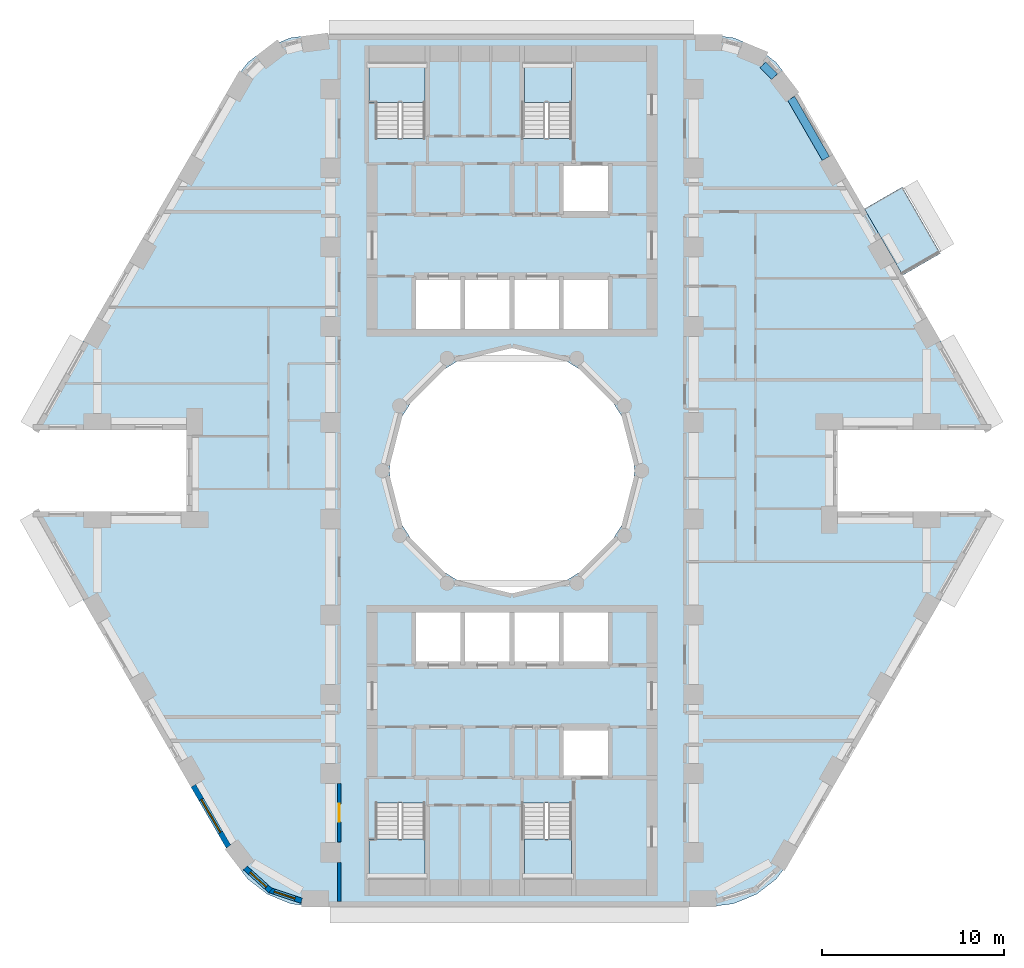
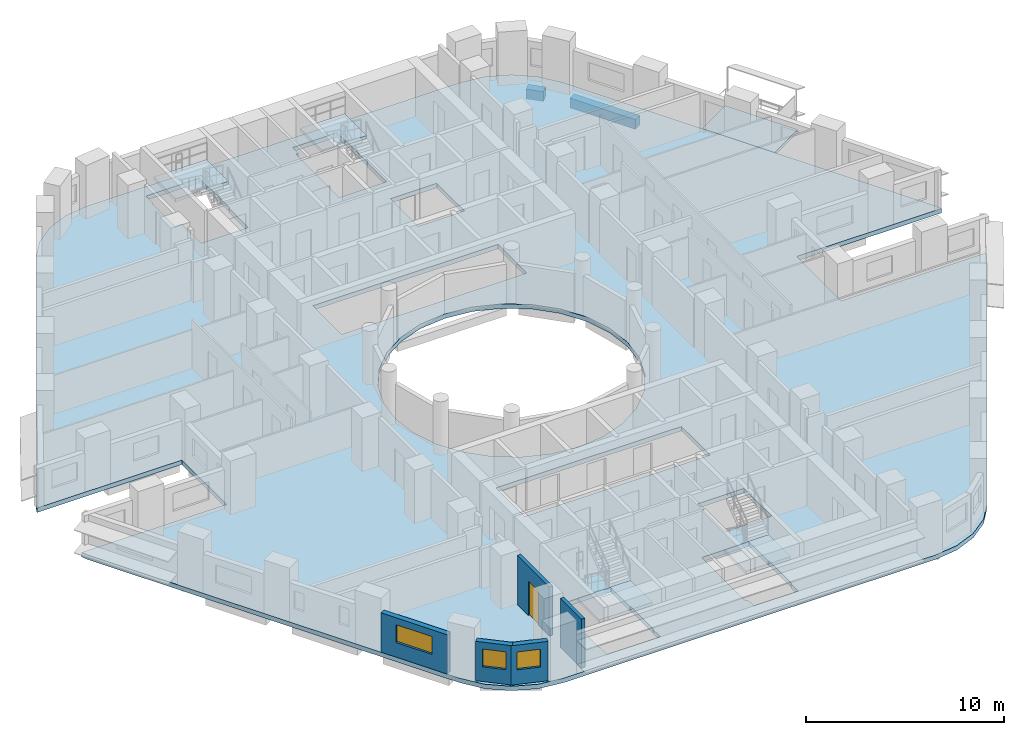
# One storey, part 2 of 13: 6 slabs, 5 walls, 3 windows, 2 beams, 1 door, 4 openings, 4 elements without a shape of their own.
"""IFC4 building model written with IfcOpenShell, lengths in metres."""

from ifc_helpers import new_model, si_unit, direction, frame, frame_2d, origin, origin_2d, place, context, subcontext, project, spatial, polyline, rectangle, outline, extrude, material, layer, layer_set, material_profile, profile_set, type_object, element, fill, aggregate, save


model = new_model("IFC4")

# Units and contexts
model_context = context("Model", 3, precision=1e-05, world=origin(), true_north=direction((0.0, 1.0)))
body_context = subcontext(model_context, "Body", "Model", "MODEL_VIEW")
ifc_project = project(units=[si_unit("LENGTHUNIT", "METRE"), si_unit("AREAUNIT", "SQUARE_METRE"), si_unit("VOLUMEUNIT", "CUBIC_METRE"), si_unit("PLANEANGLEUNIT", "RADIAN"), si_unit("MASSUNIT", "GRAM", prefix="KILO")], contexts=[model_context])

# Site, building, storey
site_placement = place(None, origin())
site = spatial("IfcSite", under=ifc_project, at=site_placement, CompositionType="ELEMENT")
building_placement = place(site_placement, origin())
building = spatial("IfcBuilding", under=site, at=building_placement, Name="Nakaniwa Court", CompositionType="ELEMENT")
storey_placement = place(building_placement, frame((0.0, 0.0, 64.5)))
storey = spatial("IfcBuildingStorey", under=building, at=storey_placement, Name="L17", CompositionType="ELEMENT", Elevation=64.5)

# Beams
ifc_material_1 = material(Name="Concrete C100/115", Category="concrete")
ifc_material_profile = material_profile(ifc_material_1, rectangle(XDim=0.449951171875, YDim=0.60009765625, at=origin_2d()), Name="Concrete C100/115 RC 450x600 spandrel beam")
ifc_profile_set = profile_set([ifc_material_profile], Name="Concrete C100/115")
beam_type = type_object("IfcBeamType", Name="Concrete C100/115 RC 450x600 spandrel beam", PredefinedType="BEAM", material=ifc_profile_set)
beam_1_placement = place(storey_placement, frame((97.2705078125, 97.1865234375, -0.574951171875), z_axis=(-0.500023067617, 0.86601208528, 0.0), x_axis=(-0.86601208528, -0.500023067617, 0.0)))
element("IfcBeam", 1, at=beam_1_placement, inside=storey, type_object=beam_type, Name="SPANDREL BEAM", PredefinedType="BEAM", context=body_context, shape_type="SweptSolid", body=[
    extrude(rectangle(XDim=0.449951171875, YDim=0.60009765625, at=origin_2d()), origin(), (0.0, 0.0, 1.0), 3.819580078125),
])
beam_2_placement = place(storey_placement, frame((94.448486328125, 101.68505859375, -0.574951171875), z_axis=(-0.705908410536, 0.708303124329, 0.0), x_axis=(-0.708303124329, -0.705908410536, 0.0)))
element("IfcBeam", 2, at=beam_2_placement, inside=storey, type_object=beam_type, Name="SPANDREL BEAM", PredefinedType="BEAM", context=body_context, shape_type="SweptSolid", body=[
    extrude(rectangle(XDim=0.449951171875, YDim=0.60009765625, at=origin_2d()), origin(), (0.0, 0.0, 1.0), 0.91748046875),
])

# Slabs
ifc_material_2 = material(Name="Charcoal ceramic paver")
ifc_layer_1 = layer(ifc_material_2, 0.02, Name="Ceramic paver")
ifc_material_3 = material(Name="Cement sand screed")
ifc_layer_2 = layer(ifc_material_3, 0.03, Name="Falls screed")
ifc_material_4 = material(Name="Concrete C40/50", Category="concrete")
ifc_layer_3 = layer(ifc_material_4, 0.15, Name="Balcony slab")
ifc_layer_set_1 = layer_set([ifc_layer_1, ifc_layer_2, ifc_layer_3], Name="Concrete C40/50 balcony slab with ceramic paver finish")
slab_type_1 = type_object("IfcSlabType", Name="Balcony slab 200", PredefinedType="FLOOR", material=ifc_layer_set_1)
slab_1_placement = place(storey_placement, frame((0.0, 0.0, -0.25)))
element("IfcSlab", 3, at=slab_1_placement, inside=storey, type_object=slab_type_1, Name="L17 balcony 01", PredefinedType="FLOOR", context=body_context, shape_type="SweptSolid", body=[
    extrude(outline(polyline([(101.50048828125, 90.760009765625), (99.393310546875, 94.409912109375), (101.4716796875, 95.610107421875), (103.5791015625, 91.9599609375), (101.50048828125, 90.760009765625)])), origin(), (0.0, 0.0, 1.0), 0.199951171875),
])
ifc_layer_4 = layer(ifc_material_1, 0.27490234375)
ifc_layer_set_2 = layer_set([ifc_layer_4], Name="Concrete C100/115")
slab_type_2 = type_object("IfcSlabType", Name="Concrete C100/115 post tensioned floor slab 275", PredefinedType="FLOOR", material=ifc_layer_set_2)
slab_2_placement = place(storey_placement, frame((0.0, 0.0, -0.27490234375)))
element("IfcSlab", 4, at=slab_2_placement, inside=storey, type_object=slab_type_2, Name="FLOOR SLAB", PredefinedType="FLOOR", context=body_context, shape_type="SweptSolid", body=[
    extrude(outline(polyline([(97.908447265625, 82.25), (106.356689453125, 82.25), (106.211669921875, 82.60009765625), (95.357421875, 101.39990234375), (94.531005859375, 102.47705078125), (93.4541015625, 103.30322265625), (92.199951171875, 103.82275390625), (90.854248046875, 104.0), (69.145751953125, 104.0), (67.800048828125, 103.82275390625), (66.5458984375, 103.30322265625), (65.468994140625, 102.47705078125), (64.642578125, 101.39990234375), (53.788330078125, 82.60009765625), (53.643310546875, 82.25), (62.091552734375, 82.25), (62.091552734375, 77.75), (53.643310546875, 77.75), (53.788330078125, 77.39990234375), (64.642578125, 58.60009765625), (65.468994140625, 57.52294921875), (66.5458984375, 56.69677734375), (67.800048828125, 56.17724609375), (69.145751953125, 56.0), (90.854248046875, 56.0), (92.199951171875, 56.17724609375), (93.4541015625, 56.69677734375), (94.531005859375, 57.52294921875), (95.357421875, 58.60009765625), (106.211669921875, 77.39990234375), (106.356689453125, 77.75), (97.908447265625, 77.75), (97.908447265625, 82.25)]), holes=[polyline([(81.501953125, 86.580810546875), (80.0, 86.75), (78.498046875, 86.580810546875), (77.0712890625, 86.08154296875), (75.79150390625, 85.27734375), (74.72265625, 84.20849609375), (73.91845703125, 82.9287109375), (73.419189453125, 81.501953125), (73.25, 80.0), (73.419189453125, 78.498046875), (73.91845703125, 77.0712890625), (74.72265625, 75.79150390625), (75.79150390625, 74.72265625), (77.0712890625, 73.91845703125), (78.498046875, 73.419189453125), (80.0, 73.25), (81.501953125, 73.419189453125), (82.9287109375, 73.91845703125), (84.20849609375, 74.72265625), (85.27734375, 75.79150390625), (86.08154296875, 77.0712890625), (86.580810546875, 78.498046875), (86.75, 80.0), (86.580810546875, 81.501953125), (86.08154296875, 82.9287109375), (85.27734375, 84.20849609375), (84.20849609375, 85.27734375), (82.9287109375, 86.08154296875), (81.501953125, 86.580810546875)]), polyline([(75.264892578125, 57.4599609375), (75.264892578125, 59.764892578125), (75.22509765625, 59.764892578125), (75.22509765625, 61.7099609375), (72.47509765625, 61.7099609375), (72.47509765625, 59.764892578125), (72.0849609375, 59.764892578125), (72.0849609375, 57.4599609375), (72.125, 57.4599609375), (72.125, 56.72509765625), (75.22509765625, 56.72509765625), (75.22509765625, 57.324951171875), (75.22509765625, 57.4599609375), (75.264892578125, 57.4599609375)]), polyline([(80.0, 69.300048828125), (82.699951171875, 69.300048828125), (85.39990234375, 69.300048828125), (85.39990234375, 72.199951171875), (82.699951171875, 72.199951171875), (80.0, 72.199951171875), (77.300048828125, 72.199951171875), (74.60009765625, 72.199951171875), (74.60009765625, 69.300048828125), (77.300048828125, 69.300048828125), (80.0, 69.300048828125)]), polyline([(80.0, 87.800048828125), (82.699951171875, 87.800048828125), (85.39990234375, 87.800048828125), (85.39990234375, 90.699951171875), (82.699951171875, 90.699951171875), (80.0, 90.699951171875), (77.300048828125, 90.699951171875), (74.60009765625, 90.699951171875), (74.60009765625, 87.800048828125), (77.300048828125, 87.800048828125), (80.0, 87.800048828125)]), polyline([(75.264892578125, 100.235107421875), (75.264892578125, 102.5400390625), (75.22509765625, 102.5400390625), (75.22509765625, 102.675048828125), (75.22509765625, 103.27490234375), (72.125, 103.27490234375), (72.125, 102.5400390625), (72.0849609375, 102.5400390625), (72.0849609375, 100.235107421875), (72.47509765625, 100.235107421875), (72.47509765625, 98.2900390625), (75.22509765625, 98.2900390625), (75.22509765625, 100.235107421875), (75.264892578125, 100.235107421875)]), polyline([(83.27490234375, 61.7099609375), (80.52490234375, 61.7099609375), (80.52490234375, 57.324951171875), (80.675048828125, 57.324951171875), (80.675048828125, 56.72509765625), (83.27490234375, 56.72509765625), (83.27490234375, 57.324951171875), (83.27490234375, 57.4599609375), (83.31494140625, 57.4599609375), (83.31494140625, 59.764892578125), (83.27490234375, 59.764892578125), (83.27490234375, 61.7099609375)]), polyline([(85.39990234375, 65.89990234375), (82.699951171875, 65.89990234375), (82.699951171875, 63.10009765625), (85.39990234375, 63.10009765625), (85.39990234375, 65.89990234375)]), polyline([(85.39990234375, 96.89990234375), (82.699951171875, 96.89990234375), (82.699951171875, 94.10009765625), (85.39990234375, 94.10009765625), (85.39990234375, 96.89990234375)]), polyline([(83.27490234375, 100.235107421875), (83.31494140625, 100.235107421875), (83.31494140625, 102.5400390625), (83.27490234375, 102.5400390625), (83.27490234375, 102.675048828125), (83.27490234375, 103.27490234375), (80.675048828125, 103.27490234375), (80.675048828125, 102.675048828125), (80.52490234375, 102.675048828125), (80.52490234375, 98.2900390625), (83.27490234375, 98.2900390625), (83.27490234375, 100.235107421875)])]), origin(), (0.0, 0.0, 1.0), 0.27490234375),
])

# Stair, slab
ifc_material_5 = material(Name="Concrete C80/100", Category="concrete")
stair_type = type_object("IfcStairType", Name="Dog leg stair 1300 wide 18 risers", PredefinedType="HALF_TURN_STAIR", material=ifc_material_5)
stair_1_placement = place(storey_placement, origin())
stair_1 = element("IfcStair", 5, at=stair_1_placement, inside=storey, type_object=stair_type, Name="L17 Stair ST1", PredefinedType="HALF_TURN_STAIR")
ifc_layer_5 = layer(ifc_material_5, 0.199951171875)
ifc_layer_set_3 = layer_set([ifc_layer_5], Name="Concrete C80/100")
slab_type_3 = type_object("IfcSlabType", Name="Stair landing concrete", PredefinedType="LANDING", material=ifc_layer_set_3)
slab_3_placement = place(storey_placement, frame((0.0, 0.0, 1.449951171875)))
slab_3 = element("IfcSlab", 6, at=slab_3_placement, type_object=slab_type_3, Name="ST1 landing 1", PredefinedType="LANDING", context=body_context, shape_type="SweptSolid", body=[
    extrude(outline(polyline([(75.22509765625, 100.27490234375), (75.22509765625, 102.5), (72.125, 102.5), (72.125, 100.27490234375), (75.22509765625, 100.27490234375)])), origin(), (0.0, 0.0, 1.0), 0.199951171875),
])
aggregate(stair_1, [slab_3])

stair_2_placement = place(storey_placement, origin())
stair_2 = element("IfcStair", 7, at=stair_2_placement, inside=storey, type_object=stair_type, Name="L17 Stair ST2", PredefinedType="HALF_TURN_STAIR")
slab_4_placement = place(storey_placement, frame((0.0, 0.0, 1.449951171875)))
slab_4 = element("IfcSlab", 8, at=slab_4_placement, type_object=slab_type_3, Name="ST2 landing 1", PredefinedType="LANDING", context=body_context, shape_type="SweptSolid", body=[
    extrude(outline(polyline([(83.27490234375, 100.27490234375), (83.27490234375, 102.5), (80.675048828125, 102.5), (80.675048828125, 100.27490234375), (83.27490234375, 100.27490234375)])), origin(), (0.0, 0.0, 1.0), 0.199951171875),
])
aggregate(stair_2, [slab_4])

stair_3_placement = place(storey_placement, origin())
stair_3 = element("IfcStair", 9, at=stair_3_placement, inside=storey, type_object=stair_type, Name="L17 Stair ST3", PredefinedType="HALF_TURN_STAIR")
slab_5_placement = place(storey_placement, frame((0.0, 0.0, 1.449951171875)))
slab_5 = element("IfcSlab", 10, at=slab_5_placement, type_object=slab_type_3, Name="ST3 landing 1", PredefinedType="LANDING", context=body_context, shape_type="SweptSolid", body=[
    extrude(outline(polyline([(75.22509765625, 57.5), (75.22509765625, 59.72509765625), (72.125, 59.72509765625), (72.125, 57.5), (75.22509765625, 57.5)])), origin(), (0.0, 0.0, 1.0), 0.199951171875),
])
aggregate(stair_3, [slab_5])

stair_4_placement = place(storey_placement, origin())
stair_4 = element("IfcStair", 11, at=stair_4_placement, inside=storey, type_object=stair_type, Name="L17 Stair ST4", PredefinedType="HALF_TURN_STAIR")
slab_6_placement = place(storey_placement, frame((0.0, 0.0, 1.449951171875)))
slab_6 = element("IfcSlab", 12, at=slab_6_placement, type_object=slab_type_3, Name="ST4 landing 1", PredefinedType="LANDING", context=body_context, shape_type="SweptSolid", body=[
    extrude(outline(polyline([(83.27490234375, 57.5), (83.27490234375, 59.72509765625), (80.675048828125, 59.72509765625), (80.675048828125, 57.5), (83.27490234375, 57.5)])), origin(), (0.0, 0.0, 1.0), 0.199951171875),
])
aggregate(stair_4, [slab_6])

# Wall
ifc_material_6 = material(Name="Acoustic double stud partition")
ifc_layer_6 = layer(ifc_material_6, 0.199951171875)
ifc_layer_set_4 = layer_set([ifc_layer_6], Name="Acoustic double stud partition")
wall_type_1 = type_object("IfcWallType", Name="Acoustic double stud partition 200", PredefinedType="PARTITIONING", material=ifc_layer_set_4)
wall_1_placement = place(storey_placement, frame((70.5, 56.300048828125, 0.0), z_axis=(0.0, 0.0, 1.0), x_axis=(0.0, 1.0, 0.0)))
element("IfcWall", 13, at=wall_1_placement, inside=storey, type_object=wall_type_1, Name="Partition PW-100", PredefinedType="PARTITIONING", context=body_context, shape_type="SweptSolid", body=[
    extrude(rectangle(XDim=2.133056640625, YDim=0.199951171875, at=frame_2d((1.06640625, 0.0))), origin(), (0.0, 0.0, 1.0), 3.02490234375),
])

# Wall, opening, door
wall_2_placement = place(storey_placement, frame((70.5, 59.56689453125, 0.0), z_axis=(0.0, 0.0, 1.0), x_axis=(0.0, 1.0, 0.0)))
wall_2 = element("IfcWall", 14, at=wall_2_placement, inside=storey, type_object=wall_type_1, Name="Partition PW-101", PredefinedType="PARTITIONING", context=body_context, shape_type="SweptSolid", body=[
    extrude(rectangle(XDim=3.216064453125, YDim=0.199951171875, at=frame_2d((1.60791015625, 0.0))), origin(), (0.0, 0.0, 1.0), 3.02490234375),
])
opening_1_placement = place(wall_2_placement, frame((1.10791015625, 0.0, 0.0)))
opening_1 = element("IfcOpeningElement", 15, at=opening_1_placement, cuts=wall_2, Name="Opening D-02-04", PredefinedType="OPENING", context=body_context, shape_type="SweptSolid", body=[
    extrude(rectangle(XDim=1.0, YDim=2.10009765625, at=frame_2d((0.5, 1.050048828125))), frame((0.0, 0.10986328125, 0.0), z_axis=(0.0, -1.0, 0.0), x_axis=(1.0, 0.0, 0.0)), (0.0, 0.0, 1.0), 0.219970703125),
])
ifc_material_7 = material(Name="Solid core timber door set, black veneer", Category="wood")
door_type = type_object("IfcDoorType", Name="Internal door 1000", OperationType="NOTDEFINED", PredefinedType="DOOR", material=ifc_material_7)
door_placement = place(opening_1_placement, origin())
door = element("IfcDoor", 16, at=door_placement, inside=storey, type_object=door_type, Name="Door D-02-04 L17-044", OperationType="SINGLE_SWING_LEFT", OverallHeight=2.10009765625, OverallWidth=1.0, PredefinedType="DOOR", context=body_context, shape_type="SweptSolid", body=[
    extrude(rectangle(XDim=1.0, YDim=2.10009765625, at=frame_2d((0.5, 1.050048828125))), frame((0.0, 0.02490234375, 0.0), z_axis=(0.0, -1.0, 0.0), x_axis=(1.0, 0.0, 0.0)), (0.0, 0.0, 1.0), 0.050048828125),
])
fill(opening_1, door)

# Wall, opening, window
ifc_material_8 = material(Name="Charcoal ceramic cladding")
ifc_layer_7 = layer(ifc_material_8, 0.02, Name="Ceramic cladding")
ifc_material_9 = material(Name="Ventilated air cavity")
ifc_layer_8 = layer(ifc_material_9, 0.04, ventilated=True, Name="Ventilated cavity")
ifc_material_10 = material(Name="Mineral wool insulation")
ifc_layer_9 = layer(ifc_material_10, 0.1, Name="Insulation")
ifc_material_11 = material(Name="Cement bonded sheathing board")
ifc_layer_10 = layer(ifc_material_11, 0.012, Name="Sheathing")
ifc_material_12 = material(Name="Cold-formed galvanised stud frame with mineral wool infill")
ifc_layer_11 = layer(ifc_material_12, 0.1, Name="Stud frame")
ifc_material_13 = material(Name="Fire-rated gypsum plasterboard lining")
ifc_layer_12 = layer(ifc_material_13, 0.028, Name="Lining")
ifc_layer_set_5 = layer_set([ifc_layer_7, ifc_layer_8, ifc_layer_9, ifc_layer_10, ifc_layer_11, ifc_layer_12], Name="Charcoal ceramic faced external wall system")
wall_type_2 = type_object("IfcWallType", Name="Black ceramic faced external wall 300", PredefinedType="SOLIDWALL", material=ifc_layer_set_5)
wall_3_placement = place(storey_placement, frame((62.4677734375, 62.6669921875, 0.0), z_axis=(0.0, 0.0, 1.0), x_axis=(0.499948341072, -0.866055227026, 0.0)))
wall_3 = element("IfcWall", 17, at=wall_3_placement, inside=storey, type_object=wall_type_2, Name="L17 external wall 23", PredefinedType="SOLIDWALL", context=body_context, shape_type="SweptSolid", body=[
    extrude(rectangle(XDim=3.8671875, YDim=0.300048828125, at=frame_2d((1.93359375, 0.0))), origin(), (0.0, 0.0, 1.0), 2.425048828125),
])
opening_2_placement = place(wall_3_placement, frame((0.872314453125, 0.0, 0.89990234375)))
opening_2 = element("IfcOpeningElement", 18, at=opening_2_placement, cuts=wall_3, Name="Opening W7.26", PredefinedType="OPENING", context=body_context, shape_type="SweptSolid", body=[
    extrude(rectangle(XDim=2.10009765625, YDim=1.10009765625, at=frame_2d((1.050048828125, 0.550048828125))), frame((0.0, 0.159912109375, 0.0), z_axis=(0.0, -1.0, 0.0), x_axis=(1.0, 0.0, 0.0)), (0.0, 0.0, 1.0), 0.320068359375),
])
ifc_material_14 = material(Name="Black anodised aluminium frame with dark low-E laminated double glazing", Category="aluminium")
window_type_1 = type_object("IfcWindowType", Name="Dark glass window 2100x1100 sill 900", PartitioningType="SINGLE_PANEL", PredefinedType="WINDOW", material=ifc_material_14)
window_1_placement = place(opening_2_placement, origin())
window_1 = element("IfcWindow", 19, at=window_1_placement, inside=storey, type_object=window_type_1, Name="L17 habitable room window 23-0", OverallHeight=1.10009765625, OverallWidth=2.10009765625, PartitioningType="SINGLE_PANEL", PredefinedType="WINDOW", context=body_context, shape_type="SweptSolid", body=[
    extrude(rectangle(XDim=2.10009765625, YDim=1.10009765625, at=frame_2d((1.050048828125, 0.550048828125))), frame((0.0, 0.030029296875, 0.0), z_axis=(0.0, -1.0, 0.0), x_axis=(1.0, 0.0, 0.0)), (0.0, 0.0, 1.0), 0.06005859375),
])
fill(opening_2, window_1)

wall_4_placement = place(storey_placement, frame((65.3203125, 58.142578125, 0.0), z_axis=(0.0, 0.0, 1.0), x_axis=(0.7435526378, -0.668677407141, 0.0)))
wall_4 = element("IfcWall", 20, at=wall_4_placement, inside=storey, type_object=wall_type_2, Name="L17 external wall 24", PredefinedType="SOLIDWALL", context=body_context, shape_type="SweptSolid", body=[
    extrude(rectangle(XDim=1.878173828125, YDim=0.300048828125, at=frame_2d((0.93896484375, 0.0))), origin(), (0.0, 0.0, 1.0), 2.425048828125),
])
opening_3_placement = place(wall_4_placement, frame((0.366943359375, 0.0, 0.89990234375)))
opening_3 = element("IfcOpeningElement", 21, at=opening_3_placement, cuts=wall_4, Name="Opening W6.27", PredefinedType="OPENING", context=body_context, shape_type="SweptSolid", body=[
    extrude(rectangle(XDim=1.199951171875, YDim=1.10009765625, at=frame_2d((0.60009765625, 0.550048828125))), frame((0.0, 0.159912109375, 0.0), z_axis=(0.0, -1.0, 0.0), x_axis=(1.0, 0.0, 0.0)), (0.0, 0.0, 1.0), 0.320068359375),
])
window_type_2 = type_object("IfcWindowType", Name="Dark glass window 1200x1100 sill 900", PartitioningType="SINGLE_PANEL", PredefinedType="WINDOW", material=ifc_material_14)
window_2_placement = place(opening_3_placement, origin())
window_2 = element("IfcWindow", 22, at=window_2_placement, inside=storey, type_object=window_type_2, Name="L17 habitable room window 24-0", OverallHeight=1.10009765625, OverallWidth=1.199951171875, PartitioningType="SINGLE_PANEL", PredefinedType="WINDOW", context=body_context, shape_type="SweptSolid", body=[
    extrude(rectangle(XDim=1.199951171875, YDim=1.10009765625, at=frame_2d((0.60009765625, 0.550048828125))), frame((0.0, 0.030029296875, 0.0), z_axis=(0.0, -1.0, 0.0), x_axis=(1.0, 0.0, 0.0)), (0.0, 0.0, 1.0), 0.06005859375),
])
fill(opening_3, window_2)

wall_5_placement = place(storey_placement, frame((66.6240234375, 56.932861328125, 0.0), z_axis=(0.0, 0.0, 1.0), x_axis=(0.949246659442, -0.314532636683, 0.0)))
wall_5 = element("IfcWall", 23, at=wall_5_placement, inside=storey, type_object=wall_type_2, Name="L17 external wall 25", PredefinedType="SOLIDWALL", context=body_context, shape_type="SweptSolid", body=[
    extrude(rectangle(XDim=1.901611328125, YDim=0.300048828125, at=frame_2d((0.95068359375, 0.0))), origin(), (0.0, 0.0, 1.0), 2.425048828125),
])
opening_4_placement = place(wall_5_placement, frame((0.31005859375, 0.0, 0.89990234375)))
opening_4 = element("IfcOpeningElement", 24, at=opening_4_placement, cuts=wall_5, Name="Opening W6.28", PredefinedType="OPENING", context=body_context, shape_type="SweptSolid", body=[
    extrude(rectangle(XDim=1.199951171875, YDim=1.10009765625, at=frame_2d((0.60009765625, 0.550048828125))), frame((0.0, 0.159912109375, 0.0), z_axis=(0.0, -1.0, 0.0), x_axis=(1.0, 0.0, 0.0)), (0.0, 0.0, 1.0), 0.320068359375),
])
window_3_placement = place(opening_4_placement, origin())
window_3 = element("IfcWindow", 25, at=window_3_placement, inside=storey, type_object=window_type_2, Name="L17 habitable room window 25-0", OverallHeight=1.10009765625, OverallWidth=1.199951171875, PartitioningType="SINGLE_PANEL", PredefinedType="WINDOW", context=body_context, shape_type="SweptSolid", body=[
    extrude(rectangle(XDim=1.199951171875, YDim=1.10009765625, at=frame_2d((0.60009765625, 0.550048828125))), frame((0.0, 0.030029296875, 0.0), z_axis=(0.0, -1.0, 0.0), x_axis=(1.0, 0.0, 0.0)), (0.0, 0.0, 1.0), 0.06005859375),
])
fill(opening_4, window_3)

save(model, "model.ifc")
